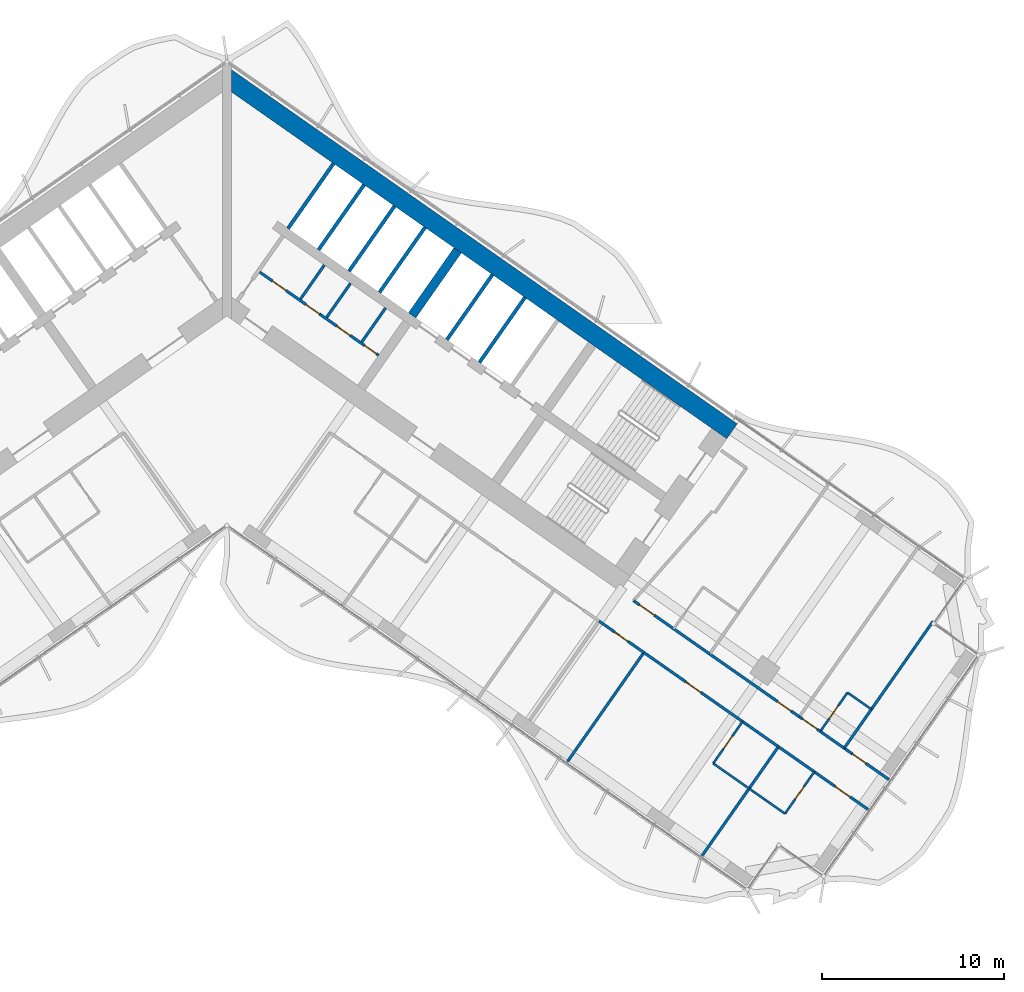
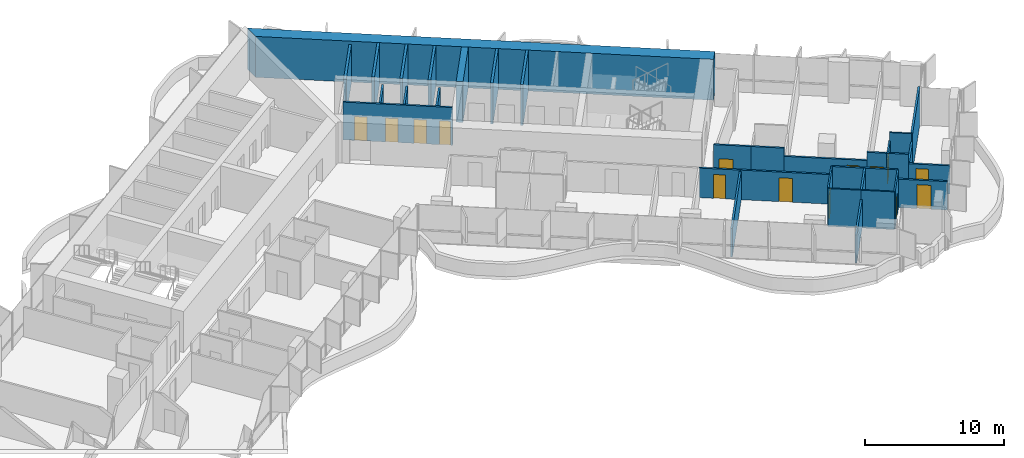
# One storey, part 15 of 23: 34 walls, 14 doors, 14 openings.
"""IFC4 building model written with IfcOpenShell, lengths in metres."""

from ifc_helpers import new_model, si_unit, direction, frame, frame_2d, origin, place, context, subcontext, project, spatial, polyline, rectangle, outline, extrude, material, layer, layer_set, type_object, element, fill, save


model = new_model("IFC4")

# Units and contexts
model_context = context("Model", 3, precision=1e-05, world=origin(), true_north=direction((0.0, 1.0)))
body_context = subcontext(model_context, "Body", "Model", "MODEL_VIEW")
ifc_project = project(units=[si_unit("LENGTHUNIT", "METRE"), si_unit("AREAUNIT", "SQUARE_METRE"), si_unit("VOLUMEUNIT", "CUBIC_METRE"), si_unit("PLANEANGLEUNIT", "RADIAN"), si_unit("MASSUNIT", "GRAM", prefix="KILO")], contexts=[model_context])

# Site, building, storey
site_placement = place(None, origin())
site = spatial("IfcSite", under=ifc_project, at=site_placement, CompositionType="ELEMENT")
building_placement = place(site_placement, origin())
building = spatial("IfcBuilding", under=site, at=building_placement, Name="Tel Ilan Convention Tower", CompositionType="ELEMENT")
storey_placement = place(building_placement, frame((0.0, 0.0, 83.300048828125)))
storey = spatial("IfcBuildingStorey", under=building, at=storey_placement, Name="L16", CompositionType="ELEMENT", Elevation=83.300048828125)

# Wall, openings, doors
ifc_material_1 = material(Name="Gypsum Plasterboard on Steel Stud", Category="steel")
ifc_layer_1 = layer(ifc_material_1, 0.14990234375)
ifc_layer_set_1 = layer_set([ifc_layer_1], Name="Core Room Partition Wall 150 mm EI 60")
wall_type_1 = type_object("IfcWallType", Name="Core Room Partition Wall 150 mm EI 60", PredefinedType="PARTITIONING", material=ifc_layer_set_1)
wall_1_placement = place(storey_placement, frame((1.802490234375, 1.179443359375, 0.0), z_axis=(0.0, 0.0, 1.0), x_axis=(0.819142461705, -0.573590121456, 0.0)))
wall_1 = element("IfcWall", 1, at=wall_1_placement, inside=storey, type_object=wall_type_1, Name="L16 core wall wc-h1", PredefinedType="PARTITIONING", context=body_context, shape_type="SweptSolid", body=[
    extrude(rectangle(XDim=7.949951171875, YDim=0.14990234375, at=frame_2d((3.97509765625, 0.0))), origin(), (0.0, 0.0, 1.0), 3.320068359375),
])
opening_1_placement = place(wall_1_placement, frame((0.85009765625, 0.0, 0.0)))
opening_1 = element("IfcOpeningElement", 2, at=opening_1_placement, cuts=wall_1, Name="Opening CD1511", PredefinedType="OPENING", context=body_context, shape_type="SweptSolid", body=[
    extrude(rectangle(XDim=0.89990234375, YDim=2.10009765625, at=frame_2d((0.449951171875, 1.050048828125))), frame((0.0, 0.0849609375, 0.0), z_axis=(0.0, -1.0, 0.0), x_axis=(1.0, 0.0, 0.0)), (0.0, 0.0, 1.0), 0.169921875),
])
opening_2_placement = place(wall_1_placement, frame((3.10009765625, 0.0, 0.0)))
opening_2 = element("IfcOpeningElement", 3, at=opening_2_placement, cuts=wall_1, Name="Opening CD1508", PredefinedType="OPENING", context=body_context, shape_type="SweptSolid", body=[
    extrude(rectangle(XDim=0.89990234375, YDim=2.10009765625, at=frame_2d((0.449951171875, 1.050048828125))), frame((0.0, 0.0849609375, 0.0), z_axis=(0.0, -1.0, 0.0), x_axis=(1.0, 0.0, 0.0)), (0.0, 0.0, 1.0), 0.169921875),
])
opening_3_placement = place(wall_1_placement, frame((5.14990234375, 0.0, 0.0)))
opening_3 = element("IfcOpeningElement", 4, at=opening_3_placement, cuts=wall_1, Name="Opening CD1510", PredefinedType="OPENING", context=body_context, shape_type="SweptSolid", body=[
    extrude(rectangle(XDim=0.89990234375, YDim=2.10009765625, at=frame_2d((0.449951171875, 1.050048828125))), frame((0.0, 0.0849609375, 0.0), z_axis=(0.0, -1.0, 0.0), x_axis=(1.0, 0.0, 0.0)), (0.0, 0.0, 1.0), 0.169921875),
])
opening_4_placement = place(wall_1_placement, frame((7.0, 0.0, 0.0)))
opening_4 = element("IfcOpeningElement", 5, at=opening_4_placement, cuts=wall_1, Name="Opening CD1509", PredefinedType="OPENING", context=body_context, shape_type="SweptSolid", body=[
    extrude(rectangle(XDim=0.800048828125, YDim=2.10009765625, at=frame_2d((0.39990234375, 1.050048828125))), frame((0.0, 0.0849609375, 0.0), z_axis=(0.0, -1.0, 0.0), x_axis=(1.0, 0.0, 0.0)), (0.0, 0.0, 1.0), 0.169921875),
])
ifc_material_2 = material(Name="Galvanised Steel Door Leaf", Category="steel")
door_type_1 = type_object("IfcDoorType", Name="Store Door 800 x 2100 FD60", OperationType="NOTDEFINED", PredefinedType="DOOR", material=ifc_material_2)
door_1_placement = place(opening_4_placement, origin())
door_1 = element("IfcDoor", 6, at=door_1_placement, inside=storey, type_object=door_type_1, Name="Cleaner's store door", OperationType="SINGLE_SWING_RIGHT", OverallHeight=2.10009765625, OverallWidth=0.800048828125, PredefinedType="DOOR", context=body_context, shape_type="SweptSolid", body=[
    extrude(rectangle(XDim=0.800048828125, YDim=2.10009765625, at=frame_2d((0.39990234375, 1.050048828125))), frame((0.0, 0.02490234375, 0.0), z_axis=(0.0, -1.0, 0.0), x_axis=(1.0, 0.0, 0.0)), (0.0, 0.0, 1.0), 0.050048828125),
])
fill(opening_4, door_1)
ifc_material_3 = material(Name="Laminated Timber Door Leaf", Category="wood")
door_type_2 = type_object("IfcDoorType", Name="Toilet Door 900 x 2100 FD30S", OperationType="NOTDEFINED", PredefinedType="DOOR", material=ifc_material_3)
door_2_placement = place(opening_1_placement, origin())
door_2 = element("IfcDoor", 7, at=door_2_placement, inside=storey, type_object=door_type_2, Name="Women's WC door", OperationType="SINGLE_SWING_RIGHT", OverallHeight=2.10009765625, OverallWidth=0.89990234375, PredefinedType="DOOR", context=body_context, shape_type="SweptSolid", body=[
    extrude(rectangle(XDim=0.89990234375, YDim=2.10009765625, at=frame_2d((0.449951171875, 1.050048828125))), frame((0.0, 0.02490234375, 0.0), z_axis=(0.0, -1.0, 0.0), x_axis=(1.0, 0.0, 0.0)), (0.0, 0.0, 1.0), 0.050048828125),
])
fill(opening_1, door_2)
door_3_placement = place(opening_2_placement, origin())
door_3 = element("IfcDoor", 8, at=door_3_placement, inside=storey, type_object=door_type_2, Name="Accessible WC door", OperationType="SINGLE_SWING_RIGHT", OverallHeight=2.10009765625, OverallWidth=0.89990234375, PredefinedType="DOOR", context=body_context, shape_type="SweptSolid", body=[
    extrude(rectangle(XDim=0.89990234375, YDim=2.10009765625, at=frame_2d((0.449951171875, 1.050048828125))), frame((0.0, 0.02490234375, 0.0), z_axis=(0.0, -1.0, 0.0), x_axis=(1.0, 0.0, 0.0)), (0.0, 0.0, 1.0), 0.050048828125),
])
fill(opening_2, door_3)
door_4_placement = place(opening_3_placement, origin())
door_4 = element("IfcDoor", 9, at=door_4_placement, inside=storey, type_object=door_type_2, Name="Men's WC door", OperationType="SINGLE_SWING_RIGHT", OverallHeight=2.10009765625, OverallWidth=0.89990234375, PredefinedType="DOOR", context=body_context, shape_type="SweptSolid", body=[
    extrude(rectangle(XDim=0.89990234375, YDim=2.10009765625, at=frame_2d((0.449951171875, 1.050048828125))), frame((0.0, 0.02490234375, 0.0), z_axis=(0.0, -1.0, 0.0), x_axis=(1.0, 0.0, 0.0)), (0.0, 0.0, 1.0), 0.050048828125),
])
fill(opening_3, door_4)

# Walls
for number, where, z_axis, x_axis, name in (
    (10, (4.03662109375, -0.29345703125, 0.0), (0.0, 0.0, 1.0), (0.573599181114, 0.819136117764, 0.0), "L16 core wall wc-v0"),
    (11, (5.47021484375, -1.297119140625, 0.0), (0.0, 0.0, 1.0), (0.573599181114, 0.819136117764, 0.0), "L16 core wall wc-v1"),
    (12, (7.395263671875, -2.64501953125, 0.0), (0.0, 0.0, 1.0), (0.573599181114, 0.819136117764, 0.0), "L16 core wall wc-v2"),
):
    element("IfcWall", number, at=place(storey_placement, frame(where, z_axis=z_axis, x_axis=x_axis)), inside=storey, type_object=wall_type_1, Name=name, PredefinedType="PARTITIONING", context=body_context, shape_type="SweptSolid", body=[
        extrude(rectangle(XDim=2.27490234375, YDim=0.14990234375, at=frame_2d((1.137451171875, 0.0))), origin(), (0.0, 0.0, 1.0), 3.320068359375),
    ])
ifc_material_4 = material(Name="Concrete C30/37", Category="concrete")
ifc_layer_2 = layer(ifc_material_4, 0.199951171875)
ifc_layer_set_2 = layer_set([ifc_layer_2], Name="Core Service Room Wall 200 mm C30/37")
wall_type_2 = type_object("IfcWallType", Name="Core Service Room Wall 200 mm C30/37", PredefinedType="SOLIDWALL", material=ifc_layer_set_2)
wall_2_placement = place(storey_placement, frame((3.355224609375, 3.5712890625, 0.0), z_axis=(0.0, 0.0, 1.0), x_axis=(0.57356780395, 0.819158088694, 0.0)))
element("IfcWall", 13, at=wall_2_placement, inside=storey, type_object=wall_type_2, Name="L16 core wall apex-E-b", PredefinedType="SOLIDWALL", context=body_context, shape_type="SweptSolid", body=[
    extrude(rectangle(XDim=4.35009765625, YDim=0.199951171875, at=frame_2d((2.175048828125, 0.0))), origin(), (0.0, 0.0, 1.0), 3.320068359375),
])
ifc_material_5 = material(Name="Concrete C60/75", Category="concrete")
ifc_layer_3 = layer(ifc_material_5, 1.0)
ifc_layer_set_3 = layer_set([ifc_layer_3], Name="Core Shear Wall 1000 mm C60/75")
wall_type_3 = type_object("IfcWallType", Name="Core Shear Wall 1000 mm C60/75", PredefinedType="SHEAR", material=ifc_layer_set_3)
wall_3_placement = place(storey_placement, frame((-0.036865234375, 11.8671875, 0.0), z_axis=(0.0, 0.0, 1.0), x_axis=(0.819155306259, -0.573571777746, 0.0)))
element("IfcWall", 14, at=wall_3_placement, inside=storey, type_object=wall_type_3, Name="L16 core wall E-back", PredefinedType="SHEAR", context=body_context, shape_type="SweptSolid", body=[
    extrude(outline(polyline([(33.8369140625, 0.5), (0.0, 0.5), (0.7001953125, -0.499755859375), (33.8369140625, -0.5), (33.8369140625, 0.5)])), origin(), (0.0, 0.0, 1.0), 3.599853515625),
])
ifc_material_6 = material(Name="Concrete C60/75", Category="concrete")
ifc_layer_4 = layer(ifc_material_6, 0.5)
ifc_layer_set_4 = layer_set([ifc_layer_4], Name="Core Shear Wall 500 mm C60/75")
wall_type_4 = type_object("IfcWallType", Name="Core Shear Wall 500 mm C60/75", PredefinedType="SHEAR", material=ifc_layer_set_4)
wall_4_placement = place(storey_placement, frame((10.154296875, -1.189208984375, 0.0), z_axis=(0.0, 0.0, 1.0), x_axis=(0.573594173421, 0.819139624372, 0.0)))
element("IfcWall", 15, at=wall_4_placement, inside=storey, type_object=wall_type_4, Name="L16 core wall E-cross1-2", PredefinedType="SHEAR", context=body_context, shape_type="SweptSolid", body=[
    extrude(outline(polyline([(4.349853515625, -0.25), (4.349853515625, 0.25), (-0.000244140625, 0.25), (-0.000244140625, -0.25), (4.349853515625, -0.25)])), origin(), (0.0, 0.0, 1.0), 3.599853515625),
])

# Wall, opening, door
ifc_material_7 = material(Name="Plasterboard on Steel Studs", Category="steel")
ifc_layer_5 = layer(ifc_material_7, 0.14990234375)
ifc_layer_set_5 = layer_set([ifc_layer_5], Name="Fire-rated Partition 150 EI 60")
wall_type_5 = type_object("IfcWallType", Name="Fire-rated Partition 150 EI 60", PredefinedType="PARTITIONING", material=ifc_layer_set_5)
wall_5_placement = place(storey_placement, frame((22.28369140625, -16.823974609375, 0.0), z_axis=(0.0, 0.0, 1.0), x_axis=(0.819176640776, -0.573541307325, 0.0)))
wall_5 = element("IfcWall", 16, at=wall_5_placement, inside=storey, type_object=wall_type_5, Name="Partition 001", PredefinedType="PARTITIONING", context=body_context, shape_type="SweptSolid", body=[
    extrude(rectangle(XDim=2.697509765625, YDim=0.14990234375, at=frame_2d((1.3486328125, 0.0))), origin(), (0.0, 0.0, 1.0), 3.320068359375),
])
opening_5_placement = place(wall_5_placement, frame((0.396240234375, 0.0, 0.0)))
opening_5 = element("IfcOpeningElement", 17, at=opening_5_placement, cuts=wall_5, Name="Opening L15-031", PredefinedType="OPENING", context=body_context, shape_type="SweptSolid", body=[
    extrude(rectangle(XDim=1.0, YDim=2.10009765625, at=frame_2d((0.5, 1.050048828125))), frame((0.0, 0.0849609375, 0.0), z_axis=(0.0, -1.0, 0.0), x_axis=(1.0, 0.0, 0.0)), (0.0, 0.0, 1.0), 0.169921875),
])
ifc_material_8 = material(Name="Timber Door Leaf in Steel Frame", Category="steel")
door_type_3 = type_object("IfcDoorType", Name="Hotel Room Entrance Fire Door 1000x2100", OperationType="NOTDEFINED", PredefinedType="DOOR", material=ifc_material_8)
door_5_placement = place(opening_5_placement, origin())
door_5 = element("IfcDoor", 18, at=door_5_placement, inside=storey, type_object=door_type_3, Name="Door L15-031", OperationType="SINGLE_SWING_LEFT", OverallHeight=2.10009765625, OverallWidth=1.0, PredefinedType="DOOR", context=body_context, shape_type="SweptSolid", body=[
    extrude(rectangle(XDim=1.0, YDim=2.10009765625, at=frame_2d((0.5, 1.050048828125))), frame((0.0, 0.02490234375, 0.0), z_axis=(0.0, -1.0, 0.0), x_axis=(1.0, 0.0, 0.0)), (0.0, 0.0, 1.0), 0.050048828125),
])
fill(opening_5, door_5)

# Wall
wall_6_placement = place(storey_placement, frame((24.49072265625, -18.369384765625, 0.0), z_axis=(0.0, 0.0, 1.0), x_axis=(0.819179439794, -0.573537309527, 0.0)))
element("IfcWall", 19, at=wall_6_placement, inside=storey, type_object=wall_type_5, Name="Partition 002", PredefinedType="PARTITIONING", context=body_context, shape_type="SweptSolid", body=[
    extrude(rectangle(XDim=2.404296875, YDim=0.14990234375, at=frame_2d((1.2021484375, 0.0))), origin(), (0.0, 0.0, 1.0), 3.320068359375),
])

# Wall, opening, door
wall_7_placement = place(storey_placement, frame((26.456787109375, -19.74609375, 0.0), z_axis=(0.0, 0.0, 1.0), x_axis=(0.819165052243, -0.573557858619, 0.0)))
wall_7 = element("IfcWall", 20, at=wall_7_placement, inside=storey, type_object=wall_type_5, Name="Partition 003", PredefinedType="PARTITIONING", context=body_context, shape_type="SweptSolid", body=[
    extrude(rectangle(XDim=6.00390625, YDim=0.14990234375, at=frame_2d((3.001953125, 0.0))), origin(), (0.0, 0.0, 1.0), 2.599853515625),
])
opening_6_placement = place(wall_7_placement, frame((4.552001953125, 0.0, 0.0)))
opening_6 = element("IfcOpeningElement", 21, at=opening_6_placement, cuts=wall_7, Name="Opening L15-032", PredefinedType="OPENING", context=body_context, shape_type="SweptSolid", body=[
    extrude(rectangle(XDim=0.89990234375, YDim=2.10009765625, at=frame_2d((0.449951171875, 1.050048828125))), frame((0.0, 0.0849609375, 0.0), z_axis=(0.0, -1.0, 0.0), x_axis=(1.0, 0.0, 0.0)), (0.0, 0.0, 1.0), 0.169921875),
])
ifc_material_9 = material(Name="Timber Door Leaf in Steel Frame", Category="steel")
door_type_4 = type_object("IfcDoorType", Name="Room Fire Door 900x2100", OperationType="NOTDEFINED", PredefinedType="DOOR", material=ifc_material_9)
door_6_placement = place(opening_6_placement, origin())
door_6 = element("IfcDoor", 22, at=door_6_placement, inside=storey, type_object=door_type_4, Name="Door L15-032", OperationType="SINGLE_SWING_RIGHT", OverallHeight=2.10009765625, OverallWidth=0.89990234375, PredefinedType="DOOR", context=body_context, shape_type="SweptSolid", body=[
    extrude(rectangle(XDim=0.89990234375, YDim=2.10009765625, at=frame_2d((0.449951171875, 1.050048828125))), frame((0.0, 0.02490234375, 0.0), z_axis=(0.0, -1.0, 0.0), x_axis=(1.0, 0.0, 0.0)), (0.0, 0.0, 1.0), 0.050048828125),
])
fill(opening_6, door_6)

wall_8_placement = place(storey_placement, frame((31.37158203125, -23.1875, 0.0), z_axis=(0.0, 0.0, 1.0), x_axis=(0.819199220913, -0.573509055252, 0.0)))
wall_8 = element("IfcWall", 23, at=wall_8_placement, inside=storey, type_object=wall_type_5, Name="Partition 004", PredefinedType="PARTITIONING", context=body_context, shape_type="SweptSolid", body=[
    extrude(rectangle(XDim=1.403076171875, YDim=0.14990234375, at=frame_2d((0.70166015625, 0.0))), origin(), (0.0, 0.0, 1.0), 3.320068359375),
])
opening_7_placement = place(wall_8_placement, frame((0.201904296875, 0.0, 0.0)))
opening_7 = element("IfcOpeningElement", 24, at=opening_7_placement, cuts=wall_8, Name="Opening L15-034", PredefinedType="OPENING", context=body_context, shape_type="SweptSolid", body=[
    extrude(rectangle(XDim=1.0, YDim=2.10009765625, at=frame_2d((0.5, 1.050048828125))), frame((0.0, 0.0849609375, 0.0), z_axis=(0.0, -1.0, 0.0), x_axis=(1.0, 0.0, 0.0)), (0.0, 0.0, 1.0), 0.169921875),
])
door_7_placement = place(opening_7_placement, origin())
door_7 = element("IfcDoor", 25, at=door_7_placement, inside=storey, type_object=door_type_3, Name="Door L15-034", OperationType="SINGLE_SWING_LEFT", OverallHeight=2.10009765625, OverallWidth=1.0, PredefinedType="DOOR", context=body_context, shape_type="SweptSolid", body=[
    extrude(rectangle(XDim=1.0, YDim=2.10009765625, at=frame_2d((0.5, 1.050048828125))), frame((0.0, 0.02490234375, 0.0), z_axis=(0.0, -1.0, 0.0), x_axis=(1.0, 0.0, 0.0)), (0.0, 0.0, 1.0), 0.050048828125),
])
fill(opening_7, door_7)

# Wall
wall_9_placement = place(storey_placement, frame((32.5185546875, -23.990478515625, 0.0), z_axis=(0.0, 0.0, 1.0), x_axis=(0.819189013667, -0.573523634986, 0.0)))
element("IfcWall", 26, at=wall_9_placement, inside=storey, type_object=wall_type_5, Name="Partition 005", PredefinedType="PARTITIONING", context=body_context, shape_type="SweptSolid", body=[
    extrude(rectangle(XDim=1.60400390625, YDim=0.14990234375, at=frame_2d((0.802001953125, 0.0))), origin(), (0.0, 0.0, 1.0), 3.320068359375),
])

# Wall, opening, door
wall_10_placement = place(storey_placement, frame((33.8291015625, -24.908203125, 0.0), z_axis=(0.0, 0.0, 1.0), x_axis=(0.81915932427, -0.57356603932, 0.0)))
wall_10 = element("IfcWall", 27, at=wall_10_placement, inside=storey, type_object=wall_type_5, Name="Partition 006", PredefinedType="PARTITIONING", context=body_context, shape_type="SweptSolid", body=[
    extrude(rectangle(XDim=3.002197265625, YDim=0.14990234375, at=frame_2d((1.5009765625, 0.0))), origin(), (0.0, 0.0, 1.0), 2.5),
])
opening_8_placement = place(wall_10_placement, frame((0.551025390625, 0.0, 0.0)))
opening_8 = element("IfcOpeningElement", 28, at=opening_8_placement, cuts=wall_10, Name="Opening L15-035", PredefinedType="OPENING", context=body_context, shape_type="SweptSolid", body=[
    extrude(rectangle(XDim=0.89990234375, YDim=2.10009765625, at=frame_2d((0.449951171875, 1.050048828125))), frame((0.0, 0.0849609375, 0.0), z_axis=(0.0, -1.0, 0.0), x_axis=(1.0, 0.0, 0.0)), (0.0, 0.0, 1.0), 0.169921875),
])
door_8_placement = place(opening_8_placement, origin())
door_8 = element("IfcDoor", 29, at=door_8_placement, inside=storey, type_object=door_type_4, Name="Door L15-035", OperationType="SINGLE_SWING_LEFT", OverallHeight=2.10009765625, OverallWidth=0.89990234375, PredefinedType="DOOR", context=body_context, shape_type="SweptSolid", body=[
    extrude(rectangle(XDim=0.89990234375, YDim=2.10009765625, at=frame_2d((0.449951171875, 1.050048828125))), frame((0.0, 0.02490234375, 0.0), z_axis=(0.0, -1.0, 0.0), x_axis=(1.0, 0.0, 0.0)), (0.0, 0.0, 1.0), 0.050048828125),
])
fill(opening_8, door_8)

wall_11_placement = place(storey_placement, frame((22.85546875, -19.666015625, 0.0), z_axis=(0.0, 0.0, 1.0), x_axis=(-0.819128818764, 0.573609604409, 0.0)))
wall_11 = element("IfcWall", 30, at=wall_11_placement, inside=storey, type_object=wall_type_5, Name="Partition 012", PredefinedType="PARTITIONING", context=body_context, shape_type="SweptSolid", body=[
    extrude(rectangle(XDim=3.004150390625, YDim=0.14990234375, at=frame_2d((1.501953125, 0.0))), origin(), (0.0, 0.0, 1.0), 2.599853515625),
])
opening_9_placement = place(wall_11_placement, frame((1.052001953125, 0.0, 0.0)))
opening_9 = element("IfcOpeningElement", 31, at=opening_9_placement, cuts=wall_11, Name="Opening L15-025", PredefinedType="OPENING", context=body_context, shape_type="SweptSolid", body=[
    extrude(rectangle(XDim=0.89990234375, YDim=2.10009765625, at=frame_2d((0.449951171875, 1.050048828125))), frame((0.0, 0.0849609375, 0.0), z_axis=(0.0, -1.0, 0.0), x_axis=(1.0, 0.0, 0.0)), (0.0, 0.0, 1.0), 0.169921875),
])
door_9_placement = place(opening_9_placement, origin())
door_9 = element("IfcDoor", 32, at=door_9_placement, inside=storey, type_object=door_type_4, Name="Door L15-025", OperationType="SINGLE_SWING_RIGHT", OverallHeight=2.10009765625, OverallWidth=0.89990234375, PredefinedType="DOOR", context=body_context, shape_type="SweptSolid", body=[
    extrude(rectangle(XDim=0.89990234375, YDim=2.10009765625, at=frame_2d((0.449951171875, 1.050048828125))), frame((0.0, 0.02490234375, 0.0), z_axis=(0.0, -1.0, 0.0), x_axis=(1.0, 0.0, 0.0)), (0.0, 0.0, 1.0), 0.050048828125),
])
fill(opening_9, door_9)

wall_12_placement = place(storey_placement, frame((28.260986328125, -23.450927734375, 0.0), z_axis=(0.0, 0.0, 1.0), x_axis=(-0.819141582452, 0.573591377113, 0.0)))
wall_12 = element("IfcWall", 33, at=wall_12_placement, inside=storey, type_object=wall_type_5, Name="Partition 013", PredefinedType="PARTITIONING", context=body_context, shape_type="SweptSolid", body=[
    extrude(rectangle(XDim=6.602783203125, YDim=0.14990234375, at=frame_2d((3.30126953125, 0.0))), origin(), (0.0, 0.0, 1.0), 2.599853515625),
])
opening_10_placement = place(wall_12_placement, frame((2.801025390625, 0.0, 0.0)))
opening_10 = element("IfcOpeningElement", 34, at=opening_10_placement, cuts=wall_12, Name="Opening L15-027", PredefinedType="OPENING", context=body_context, shape_type="SweptSolid", body=[
    extrude(rectangle(XDim=1.0, YDim=2.10009765625, at=frame_2d((0.5, 1.050048828125))), frame((0.0, 0.0849609375, 0.0), z_axis=(0.0, -1.0, 0.0), x_axis=(1.0, 0.0, 0.0)), (0.0, 0.0, 1.0), 0.169921875),
])
door_10_placement = place(opening_10_placement, origin())
door_10 = element("IfcDoor", 35, at=door_10_placement, inside=storey, type_object=door_type_3, Name="Door L15-027", OperationType="SINGLE_SWING_RIGHT", OverallHeight=2.10009765625, OverallWidth=1.0, PredefinedType="DOOR", context=body_context, shape_type="SweptSolid", body=[
    extrude(rectangle(XDim=1.0, YDim=2.10009765625, at=frame_2d((0.5, 1.050048828125))), frame((0.0, 0.02490234375, 0.0), z_axis=(0.0, -1.0, 0.0), x_axis=(1.0, 0.0, 0.0)), (0.0, 0.0, 1.0), 0.050048828125),
])
fill(opening_10, door_10)

# Wall
wall_13_placement = place(storey_placement, frame((30.227783203125, -24.828125, 0.0), z_axis=(0.0, 0.0, 1.0), x_axis=(-0.819146032251, 0.573585022335, 0.0)))
element("IfcWall", 36, at=wall_13_placement, inside=storey, type_object=wall_type_5, Name="Partition 014", PredefinedType="PARTITIONING", context=body_context, shape_type="SweptSolid", body=[
    extrude(rectangle(XDim=2.404052734375, YDim=0.14990234375, at=frame_2d((1.2021484375, 0.0))), origin(), (0.0, 0.0, 1.0), 3.320068359375),
])

# Wall, opening, door
wall_14_placement = place(storey_placement, frame((35.14111328125, -28.268310546875, 0.0), z_axis=(0.0, 0.0, 1.0), x_axis=(-0.819149096931, 0.573580645591, 0.0)))
wall_14 = element("IfcWall", 37, at=wall_14_placement, inside=storey, type_object=wall_type_5, Name="Partition 015", PredefinedType="PARTITIONING", context=body_context, shape_type="SweptSolid", body=[
    extrude(rectangle(XDim=3.600830078125, YDim=0.14990234375, at=frame_2d((1.80029296875, 0.0))), origin(), (0.0, 0.0, 1.0), 2.5),
])
opening_11_placement = place(wall_14_placement, frame((1.199951171875, 0.0, 0.0)))
opening_11 = element("IfcOpeningElement", 38, at=opening_11_placement, cuts=wall_14, Name="Opening L15-029", PredefinedType="OPENING", context=body_context, shape_type="SweptSolid", body=[
    extrude(rectangle(XDim=1.0, YDim=2.10009765625, at=frame_2d((0.5, 1.050048828125))), frame((0.0, 0.0849609375, 0.0), z_axis=(0.0, -1.0, 0.0), x_axis=(1.0, 0.0, 0.0)), (0.0, 0.0, 1.0), 0.169921875),
])
door_11_placement = place(opening_11_placement, origin())
door_11 = element("IfcDoor", 39, at=door_11_placement, inside=storey, type_object=door_type_3, Name="Door L15-029", OperationType="SINGLE_SWING_RIGHT", OverallHeight=2.10009765625, OverallWidth=1.0, PredefinedType="DOOR", context=body_context, shape_type="SweptSolid", body=[
    extrude(rectangle(XDim=1.0, YDim=2.10009765625, at=frame_2d((0.5, 1.050048828125))), frame((0.0, 0.02490234375, 0.0), z_axis=(0.0, -1.0, 0.0), x_axis=(1.0, 0.0, 0.0)), (0.0, 0.0, 1.0), 0.050048828125),
])
fill(opening_11, door_11)

# Walls
wall_15_placement = place(storey_placement, frame((32.19384765625, -26.20458984375, 0.0), z_axis=(0.0, 0.0, 1.0), x_axis=(-0.819146032251, 0.573585022335, 0.0)))
element("IfcWall", 40, at=wall_15_placement, inside=storey, type_object=wall_type_5, Name="Partition 016", PredefinedType="PARTITIONING", context=body_context, shape_type="SweptSolid", body=[
    extrude(rectangle(XDim=2.404052734375, YDim=0.14990234375, at=frame_2d((1.2021484375, 0.0))), origin(), (0.0, 0.0, 1.0), 3.320068359375),
])
wall_16_placement = place(storey_placement, frame((38.70751953125, -17.94482421875, 0.0), z_axis=(0.0, 0.0, 1.0), x_axis=(-0.573573403315, -0.819154168035, 0.0)))
element("IfcWall", 41, at=wall_16_placement, inside=storey, type_object=wall_type_5, Name="Partition 046", PredefinedType="PARTITIONING", context=body_context, shape_type="SweptSolid", body=[
    extrude(rectangle(XDim=5.901123046875, YDim=0.14990234375, at=frame_2d((2.95068359375, 0.0))), origin(), (0.0, 0.0, 1.0), 3.320068359375),
])
wall_17_placement = place(storey_placement, frame((35.322021484375, -22.779541015625, 0.0), z_axis=(0.0, 0.0, 1.0), x_axis=(-0.573537965655, -0.819178980414, 0.0)))
element("IfcWall", 42, at=wall_17_placement, inside=storey, type_object=wall_type_5, Name="Partition 047", PredefinedType="PARTITIONING", context=body_context, shape_type="SweptSolid", body=[
    extrude(rectangle(XDim=2.60009765625, YDim=0.14990234375, at=frame_2d((1.300048828125, 0.0))), origin(), (0.0, 0.0, 1.0), 2.599853515625),
])
wall_18_placement = place(storey_placement, frame((22.853759765625, -19.664794921875, 0.0), z_axis=(0.0, 0.0, 1.0), x_axis=(-0.573572324301, -0.819154923562, 0.0)))
element("IfcWall", 43, at=wall_18_placement, inside=storey, type_object=wall_type_5, Name="Partition 057", PredefinedType="PARTITIONING", context=body_context, shape_type="SweptSolid", body=[
    extrude(rectangle(XDim=7.2998046875, YDim=0.14990234375, at=frame_2d((3.64990234375, 0.0))), origin(), (0.0, 0.0, 1.0), 2.5),
])
wall_19_placement = place(storey_placement, frame((28.61962890625, -27.121337890625, 0.0), z_axis=(0.0, 0.0, 1.0), x_axis=(-0.573589807488, -0.819142681555, 0.0)))
element("IfcWall", 44, at=wall_19_placement, inside=storey, type_object=wall_type_5, Name="Partition 060", PredefinedType="PARTITIONING", context=body_context, shape_type="SweptSolid", body=[
    extrude(rectangle(XDim=4.4990234375, YDim=0.14990234375, at=frame_2d((2.24951171875, 0.0))), origin(), (0.0, 0.0, 1.0), 2.5),
])
wall_20_placement = place(storey_placement, frame((30.226318359375, -24.826904296875, 0.0), z_axis=(0.0, 0.0, 1.0), x_axis=(-0.573608623498, -0.819129505664, 0.0)))
element("IfcWall", 45, at=wall_20_placement, inside=storey, type_object=wall_type_5, Name="Partition 061", PredefinedType="PARTITIONING", context=body_context, shape_type="SweptSolid", body=[
    extrude(rectangle(XDim=2.800048828125, YDim=0.14990234375, at=frame_2d((1.39990234375, 0.0))), origin(), (0.0, 0.0, 1.0), 3.320068359375),
])
ifc_material_10 = material(Name="Concrete C30/37", Category="concrete")
ifc_layer_6 = layer(ifc_material_10, 0.199951171875)
ifc_layer_set_6 = layer_set([ifc_layer_6], Name="Lift Shaft Wall 200 mm C30/37")
wall_type_6 = type_object("IfcWallType", Name="Lift Shaft Wall 200 mm C30/37", PredefinedType="SOLIDWALL", material=ifc_layer_set_6)
wall_21_placement = place(storey_placement, frame((5.0244140625, 2.402587890625, 0.0), z_axis=(0.0, 0.0, 1.0), x_axis=(0.573530143085, 0.819184457233, 0.0)))
element("IfcWall", 46, at=wall_21_placement, inside=storey, type_object=wall_type_6, Name="L16 core wall bank-E1-p0", PredefinedType="SOLIDWALL", context=body_context, shape_type="SweptSolid", body=[
    extrude(rectangle(XDim=4.35009765625, YDim=0.199951171875, at=frame_2d((2.175048828125, 0.0))), origin(), (0.0, 0.0, 1.0), 3.599853515625),
])
for number, where, z_axis, x_axis, name in (
    (47, (6.693359375, 1.234130859375, 0.0), (0.0, 0.0, 1.0), (0.573594173421, 0.819139624372, 0.0), "L16 core wall bank-E1-p1"),
    (48, (8.3623046875, 0.0654296875, 0.0), (0.0, 0.0, 1.0), (0.573594173421, 0.819139624372, 0.0), "L16 core wall bank-E1-p2"),
    (49, (12.05859375, -2.52294921875, 0.0), (0.0, 0.0, 1.0), (0.573594173421, 0.819139624372, 0.0), "L16 core wall bank-E2-p0"),
):
    element("IfcWall", number, at=place(storey_placement, frame(where, z_axis=z_axis, x_axis=x_axis)), inside=storey, type_object=wall_type_6, Name=name, PredefinedType="SOLIDWALL", context=body_context, shape_type="SweptSolid", body=[
        extrude(rectangle(XDim=4.349853515625, YDim=0.199951171875, at=frame_2d((2.1748046875, 0.0))), origin(), (0.0, 0.0, 1.0), 3.599853515625),
    ])
wall_22_placement = place(storey_placement, frame((13.84033203125, -3.7705078125, 0.0), z_axis=(0.0, 0.0, 1.0), x_axis=(0.57356780395, 0.819158088694, 0.0)))
element("IfcWall", 50, at=wall_22_placement, inside=storey, type_object=wall_type_6, Name="L16 core wall bank-E2-p1", PredefinedType="SOLIDWALL", context=body_context, shape_type="SweptSolid", body=[
    extrude(rectangle(XDim=4.35009765625, YDim=0.199951171875, at=frame_2d((2.175048828125, 0.0))), origin(), (0.0, 0.0, 1.0), 3.599853515625),
])
ifc_material_11 = material(Name="Plasterboard on Steel Studs", Category="steel")
ifc_layer_7 = layer(ifc_material_11, 0.1201171875)
ifc_layer_set_7 = layer_set([ifc_layer_7], Name="Moisture-resistant Partition 120")
wall_type_7 = type_object("IfcWallType", Name="Moisture-resistant Partition 120", PredefinedType="PARTITIONING", material=ifc_layer_set_7)
wall_23_placement = place(storey_placement, frame((35.32275390625, -22.77880859375, 0.0), z_axis=(0.0, 0.0, 1.0), x_axis=(-0.81918174131, 0.573534022273, 0.0)))
element("IfcWall", 51, at=wall_23_placement, inside=storey, type_object=wall_type_7, Name="Partition 044", PredefinedType="PARTITIONING", context=body_context, shape_type="SweptSolid", body=[
    extrude(rectangle(XDim=1.60009765625, YDim=0.1201171875, at=frame_2d((0.800048828125, 0.0))), origin(), (0.0, 0.0, 1.0), 3.320068359375),
])

# Wall, opening, door
wall_24_placement = place(storey_placement, frame((34.010498046875, -21.861328125, 0.0), z_axis=(0.0, 0.0, 1.0), x_axis=(-0.573537965655, -0.819178980414, 0.0)))
wall_24 = element("IfcWall", 52, at=wall_24_placement, inside=storey, type_object=wall_type_7, Name="Partition 045", PredefinedType="PARTITIONING", context=body_context, shape_type="SweptSolid", body=[
    extrude(rectangle(XDim=2.60009765625, YDim=0.1201171875, at=frame_2d((1.300048828125, 0.0))), origin(), (0.0, 0.0, 1.0), 2.599853515625),
])
opening_12_placement = place(wall_24_placement, frame((0.875, 0.0, 0.0)))
opening_12 = element("IfcOpeningElement", 53, at=opening_12_placement, cuts=wall_24, Name="Opening L15-033", PredefinedType="OPENING", context=body_context, shape_type="SweptSolid", body=[
    extrude(rectangle(XDim=0.85009765625, YDim=2.050048828125, at=frame_2d((0.425048828125, 1.02490234375))), frame((0.0, 0.070068359375, 0.0), z_axis=(0.0, -1.0, 0.0), x_axis=(1.0, 0.0, 0.0)), (0.0, 0.0, 1.0), 0.14013671875),
])
ifc_material_12 = material(Name="Timber Door Leaf in Steel Frame", Category="steel")
door_type_5 = type_object("IfcDoorType", Name="Bathroom Timber Door 850x2050", OperationType="NOTDEFINED", PredefinedType="DOOR", material=ifc_material_12)
door_12_placement = place(opening_12_placement, origin())
door_12 = element("IfcDoor", 54, at=door_12_placement, inside=storey, type_object=door_type_5, Name="Door L15-033", OperationType="SINGLE_SWING_RIGHT", OverallHeight=2.050048828125, OverallWidth=0.85009765625, PredefinedType="DOOR", context=body_context, shape_type="SweptSolid", body=[
    extrude(rectangle(XDim=0.85009765625, YDim=2.050048828125, at=frame_2d((0.425048828125, 1.02490234375))), frame((0.0, 0.02490234375, 0.0), z_axis=(0.0, -1.0, 0.0), x_axis=(1.0, 0.0, 0.0)), (0.0, 0.0, 1.0), 0.050048828125),
])
fill(opening_12, door_12)

wall_25_placement = place(storey_placement, frame((28.259521484375, -23.44970703125, 0.0), z_axis=(0.0, 0.0, 1.0), x_axis=(-0.573608623498, -0.819129505664, 0.0)))
wall_25 = element("IfcWall", 55, at=wall_25_placement, inside=storey, type_object=wall_type_7, Name="Partition 058", PredefinedType="PARTITIONING", context=body_context, shape_type="SweptSolid", body=[
    extrude(rectangle(XDim=2.800048828125, YDim=0.1201171875, at=frame_2d((1.39990234375, 0.0))), origin(), (0.0, 0.0, 1.0), 3.320068359375),
])
opening_13_placement = place(wall_25_placement, frame((0.97509765625, 0.0, 0.0)))
opening_13 = element("IfcOpeningElement", 56, at=opening_13_placement, cuts=wall_25, Name="Opening L15-026", PredefinedType="OPENING", context=body_context, shape_type="SweptSolid", body=[
    extrude(rectangle(XDim=0.85009765625, YDim=2.050048828125, at=frame_2d((0.425048828125, 1.02490234375))), frame((0.0, 0.070068359375, 0.0), z_axis=(0.0, -1.0, 0.0), x_axis=(1.0, 0.0, 0.0)), (0.0, 0.0, 1.0), 0.14013671875),
])
door_13_placement = place(opening_13_placement, origin())
door_13 = element("IfcDoor", 57, at=door_13_placement, inside=storey, type_object=door_type_5, Name="Door L15-026", OperationType="SINGLE_SWING_RIGHT", OverallHeight=2.050048828125, OverallWidth=0.85009765625, PredefinedType="DOOR", context=body_context, shape_type="SweptSolid", body=[
    extrude(rectangle(XDim=0.85009765625, YDim=2.050048828125, at=frame_2d((0.425048828125, 1.02490234375))), frame((0.0, 0.02490234375, 0.0), z_axis=(0.0, -1.0, 0.0), x_axis=(1.0, 0.0, 0.0)), (0.0, 0.0, 1.0), 0.050048828125),
])
fill(opening_13, door_13)

# Walls
wall_26_placement = place(storey_placement, frame((26.653564453125, -25.744873046875, 0.0), z_axis=(0.0, 0.0, 1.0), x_axis=(0.819188907105, -0.573523787192, 0.0)))
element("IfcWall", 58, at=wall_26_placement, inside=storey, type_object=wall_type_7, Name="Partition 059", PredefinedType="PARTITIONING", context=body_context, shape_type="SweptSolid", body=[
    extrude(rectangle(XDim=2.39990234375, YDim=0.1201171875, at=frame_2d((1.199951171875, 0.0))), origin(), (0.0, 0.0, 1.0), 3.320068359375),
])
wall_27_placement = place(storey_placement, frame((28.61962890625, -27.121337890625, 0.0), z_axis=(0.0, 0.0, 1.0), x_axis=(0.819141114317, -0.573592045652, 0.0)))
element("IfcWall", 59, at=wall_27_placement, inside=storey, type_object=wall_type_7, Name="Partition 062", PredefinedType="PARTITIONING", context=body_context, shape_type="SweptSolid", body=[
    extrude(rectangle(XDim=2.400146484375, YDim=0.1201171875, at=frame_2d((1.2001953125, 0.0))), origin(), (0.0, 0.0, 1.0), 3.320068359375),
])

# Wall, opening, door
wall_28_placement = place(storey_placement, frame((30.5869140625, -28.497802734375, 0.0), z_axis=(0.0, 0.0, 1.0), x_axis=(0.573608623498, 0.819129505664, 0.0)))
wall_28 = element("IfcWall", 60, at=wall_28_placement, inside=storey, type_object=wall_type_7, Name="Partition 063", PredefinedType="PARTITIONING", context=body_context, shape_type="SweptSolid", body=[
    extrude(rectangle(XDim=2.800048828125, YDim=0.1201171875, at=frame_2d((1.39990234375, 0.0))), origin(), (0.0, 0.0, 1.0), 3.320068359375),
])
opening_14_placement = place(wall_28_placement, frame((0.97509765625, 0.0, 0.0)))
opening_14 = element("IfcOpeningElement", 61, at=opening_14_placement, cuts=wall_28, Name="Opening L15-028", PredefinedType="OPENING", context=body_context, shape_type="SweptSolid", body=[
    extrude(rectangle(XDim=0.85009765625, YDim=2.050048828125, at=frame_2d((0.425048828125, 1.02490234375))), frame((0.0, 0.070068359375, 0.0), z_axis=(0.0, -1.0, 0.0), x_axis=(1.0, 0.0, 0.0)), (0.0, 0.0, 1.0), 0.14013671875),
])
door_14_placement = place(opening_14_placement, origin())
door_14 = element("IfcDoor", 62, at=door_14_placement, inside=storey, type_object=door_type_5, Name="Door L15-028", OperationType="SINGLE_SWING_RIGHT", OverallHeight=2.050048828125, OverallWidth=0.85009765625, PredefinedType="DOOR", context=body_context, shape_type="SweptSolid", body=[
    extrude(rectangle(XDim=0.85009765625, YDim=2.050048828125, at=frame_2d((0.425048828125, 1.02490234375))), frame((0.0, 0.02490234375, 0.0), z_axis=(0.0, -1.0, 0.0), x_axis=(1.0, 0.0, 0.0)), (0.0, 0.0, 1.0), 0.050048828125),
])
fill(opening_14, door_14)

save(model, "model.ifc")
